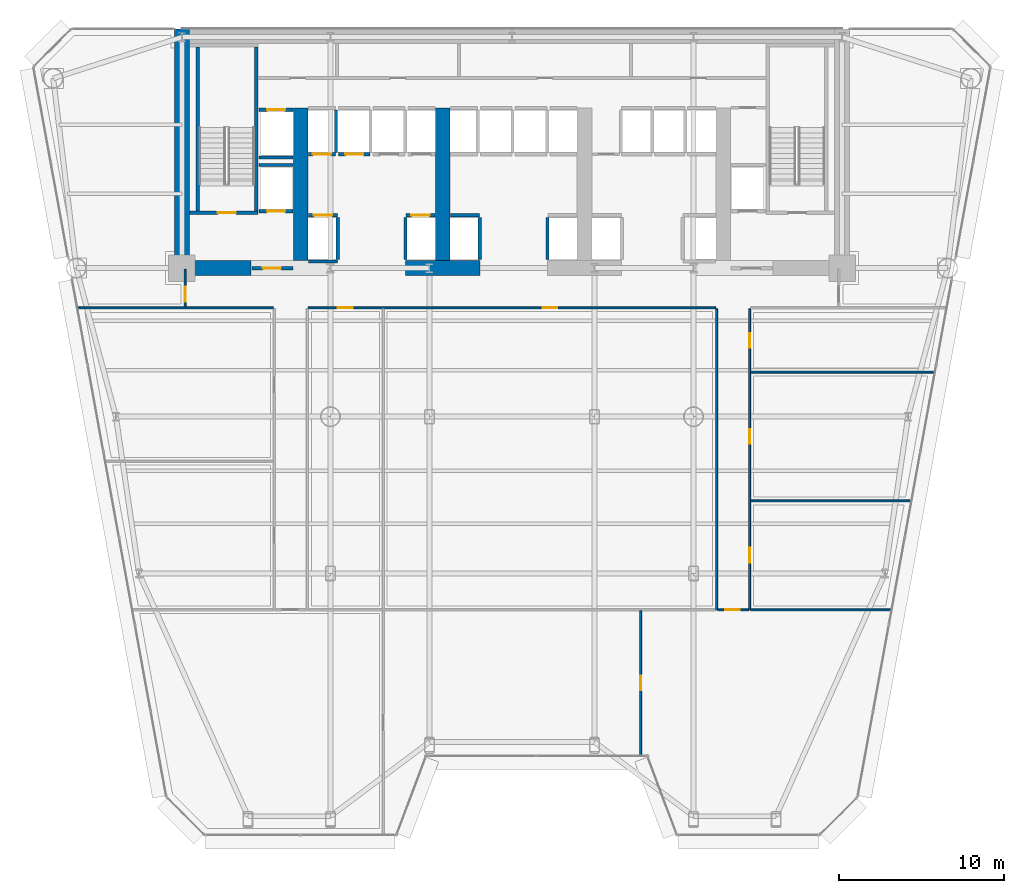
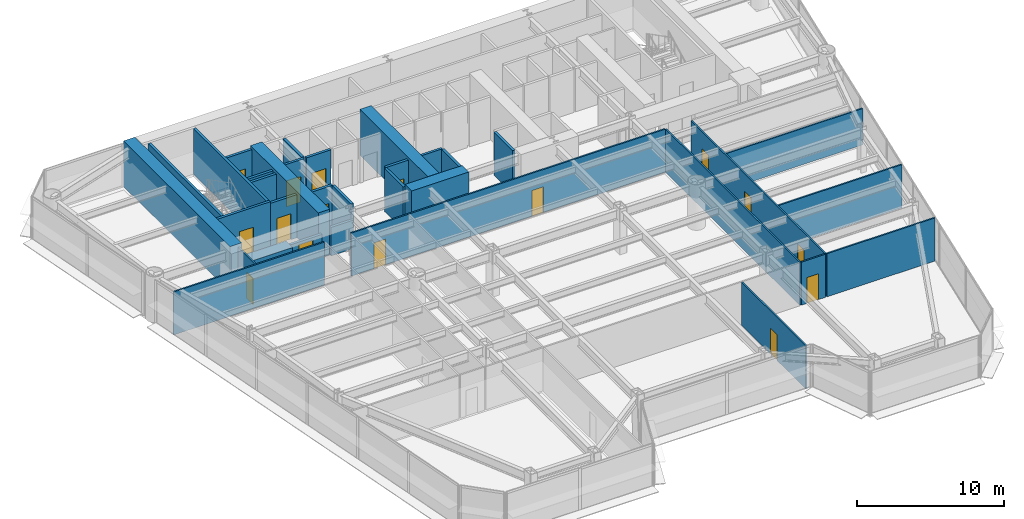
# One storey, part 8 of 14: 34 walls, 16 doors, 16 openings.
"""IFC4 building model written with IfcOpenShell, lengths in metres."""

from ifc_helpers import new_model, si_unit, direction, frame, frame_2d, origin, place, context, subcontext, project, spatial, rectangle, extrude, source, transform, mapped, material, layer, layer_set, type_object, element, fill, save


model = new_model("IFC4")

# Units and contexts
model_context = context("Model", 3, precision=1e-05, world=origin(), true_north=direction((0.0, 1.0)))
body_context = subcontext(model_context, "Body", "Model", "MODEL_VIEW")
ifc_project = project(units=[si_unit("LENGTHUNIT", "METRE"), si_unit("AREAUNIT", "SQUARE_METRE"), si_unit("VOLUMEUNIT", "CUBIC_METRE"), si_unit("PLANEANGLEUNIT", "RADIAN"), si_unit("MASSUNIT", "GRAM", prefix="KILO")], contexts=[model_context])

# Site, building, storey
site_placement = place(None, origin())
site = spatial("IfcSite", under=ifc_project, at=site_placement, CompositionType="ELEMENT")
building_placement = place(site_placement, origin())
building = spatial("IfcBuilding", under=site, at=building_placement, Name="Vaeldorn Concourse Tower", CompositionType="ELEMENT")
storey_placement = place(building_placement, frame((0.0, 0.0, 53.0)))
storey = spatial("IfcBuildingStorey", under=building, at=storey_placement, Name="L13", CompositionType="ELEMENT", Elevation=53.0)

# Walls
ifc_material_1 = material(Name="Concrete C60/75", Category="concrete")
ifc_layer_1 = layer(ifc_material_1, 0.89990234375)
ifc_layer_set_1 = layer_set([ifc_layer_1], Name="Concrete C60/75")
wall_type_1 = type_object("IfcWallType", Name="WL-CORE-900", PredefinedType="SHEAR", material=ifc_layer_set_1)
wall_1_placement = place(storey_placement, frame((14.0, 36.5, 0.0), z_axis=(0.0, 0.0, 1.0), x_axis=(0.0, 1.0, 0.0)))
element("IfcWall", 1, at=wall_1_placement, inside=storey, type_object=wall_type_1, Name="Rear Core Shear Wall L13 W1", PredefinedType="SHEAR", context=body_context, shape_type="SweptSolid", body=[
    extrude(rectangle(XDim=14.5, YDim=0.89990234375, at=frame_2d((7.25, 0.0))), origin(), (0.0, 0.0, 1.0), 3.800048828125),
])
wall_2_placement = place(storey_placement, frame((14.469970703125, 36.5, 0.0), z_axis=(0.0, 0.0, 1.0), x_axis=(1.0, 0.0, 0.0)))
element("IfcWall", 2, at=wall_2_placement, inside=storey, type_object=wall_type_1, Name="Rear Core Shear Wall L13 S1", PredefinedType="SHEAR", context=body_context, shape_type="SweptSolid", body=[
    extrude(rectangle(XDim=3.72998046875, YDim=0.89990234375, at=frame_2d((1.864990234375, 0.0))), origin(), (0.0, 0.0, 1.0), 2.3798828125),
])
wall_3_placement = place(storey_placement, frame((27.550048828125, 36.5, 0.0), z_axis=(0.0, 0.0, 1.0), x_axis=(1.0, 0.0, 0.0)))
element("IfcWall", 3, at=wall_3_placement, inside=storey, type_object=wall_type_1, Name="Rear Core Shear Wall L13 S2", PredefinedType="SHEAR", context=body_context, shape_type="SweptSolid", body=[
    extrude(rectangle(XDim=4.5, YDim=0.89990234375, at=frame_2d((2.25, 0.0))), origin(), (0.0, 0.0, 1.0), 3.800048828125),
])
for number, where, z_axis, x_axis, name in (
    (4, (21.199951171875, 36.969970703125, 0.0), (0.0, 0.0, 1.0), (0.0, 1.0, 0.0), "Rear Core Shear Wall L13 M1"),
    (5, (29.800048828125, 36.969970703125, 0.0), (0.0, 0.0, 1.0), (0.0, 1.0, 0.0), "Rear Core Shear Wall L13 M2"),
):
    element("IfcWall", number, at=place(storey_placement, frame(where, z_axis=z_axis, x_axis=x_axis)), inside=storey, type_object=wall_type_1, Name=name, PredefinedType="SHEAR", context=body_context, shape_type="SweptSolid", body=[
        extrude(rectangle(XDim=9.22998046875, YDim=0.89990234375, at=frame_2d((4.614990234375, 0.0))), origin(), (0.0, 0.0, 1.0), 3.800048828125),
    ])

# Wall, openings, doors
ifc_material_2 = material(Name="Gypsum Board Partition", Category="gypsum")
ifc_layer_2 = layer(ifc_material_2, 0.1201171875)
ifc_layer_set_2 = layer_set([ifc_layer_2], Name="Gypsum Board Partition")
wall_type_2 = type_object("IfcWallType", Name="WL-PART-120", PredefinedType="PARTITIONING", material=ifc_layer_set_2)
wall_4_placement = place(storey_placement, frame((21.659912109375, 34.10009765625, 0.0), z_axis=(0.0, 0.0, 1.0), x_axis=(1.0, 0.0, 0.0)))
wall_4 = element("IfcWall", 6, at=wall_4_placement, inside=storey, type_object=wall_type_2, Name="Interior Wall PW-L13-CEWS", PredefinedType="PARTITIONING", context=body_context, shape_type="SweptSolid", body=[
    extrude(rectangle(XDim=24.68017578125, YDim=0.1201171875, at=frame_2d((12.340087890625, 0.0))), origin(), (0.0, 0.0, 1.0), 3.580078125),
])
opening_1_placement = place(wall_4_placement, frame((1.7900390625, 0.0, 0.0)))
opening_1 = element("IfcOpeningElement", 7, at=opening_1_placement, cuts=wall_4, Name="Opening D-03", PredefinedType="OPENING", context=body_context, shape_type="SweptSolid", body=[
    extrude(rectangle(XDim=0.89990234375, YDim=2.14990234375, at=frame_2d((0.449951171875, 1.074951171875))), frame((0.0, 0.070068359375, 0.0), z_axis=(0.0, -1.0, 0.0), x_axis=(1.0, 0.0, 0.0)), (0.0, 0.0, 1.0), 0.14013671875),
])
opening_2_placement = place(wall_4_placement, frame((14.18994140625, 0.0, 0.0)))
opening_2 = element("IfcOpeningElement", 8, at=opening_2_placement, cuts=wall_4, Name="Opening D-03", PredefinedType="OPENING", context=body_context, shape_type="SweptSolid", body=[
    extrude(rectangle(XDim=0.89990234375, YDim=2.14990234375, at=frame_2d((0.449951171875, 1.074951171875))), frame((0.0, 0.070068359375, 0.0), z_axis=(0.0, -1.0, 0.0), x_axis=(1.0, 0.0, 0.0)), (0.0, 0.0, 1.0), 0.14013671875),
])
ifc_material_3 = material(Name="Acoustic Bronze-Framed Glass Door", Category="glass")
door_type_1 = type_object("IfcDoorType", Name="DR-INT-900", OperationType="NOTDEFINED", PredefinedType="DOOR", material=ifc_material_3)
shared_shape_1 = source(origin(), body_context, "Body", "SweptSolid", [
    extrude(rectangle(XDim=0.89990234375, YDim=2.14990234375, at=frame_2d((0.449951171875, 1.074951171875))), frame((0.0, 0.02490234375, 0.0), z_axis=(0.0, -1.0, 0.0), x_axis=(1.0, 0.0, 0.0)), (0.0, 0.0, 1.0), 0.050048828125),
])
door_1_placement = place(opening_1_placement, origin())
door_1 = element("IfcDoor", 9, at=door_1_placement, inside=storey, type_object=door_type_1, Name="Interior Door DR-L13-H1", OperationType="SINGLE_SWING_LEFT", OverallHeight=2.14990234375, OverallWidth=0.89990234375, PredefinedType="DOOR", context=body_context, shape_type="MappedRepresentation", body=[
    mapped(shared_shape_1, transform((0.0, 0.0, 0.0), scale=1.0)),
])
fill(opening_1, door_1)
door_2_placement = place(opening_2_placement, origin())
door_2 = element("IfcDoor", 10, at=door_2_placement, inside=storey, type_object=door_type_1, Name="Interior Door DR-L13-H2", OperationType="SINGLE_SWING_RIGHT", OverallHeight=2.14990234375, OverallWidth=0.89990234375, PredefinedType="DOOR", context=body_context, shape_type="MappedRepresentation", body=[
    mapped(shared_shape_1, transform((0.0, 0.0, 0.0), scale=1.0)),
])
fill(opening_2, door_2)

# Wall
wall_5_placement = place(storey_placement, frame((7.699462890625, 34.10009765625, 0.0), z_axis=(0.0, 0.0, 1.0), x_axis=(1.0, 0.0, 0.0)))
element("IfcWall", 11, at=wall_5_placement, inside=storey, type_object=wall_type_2, Name="Interior Wall PW-L13-CEWW", PredefinedType="PARTITIONING", context=body_context, shape_type="SweptSolid", body=[
    extrude(rectangle(XDim=11.840576171875, YDim=0.1201171875, at=frame_2d((5.92041015625, 0.0))), origin(), (0.0, 0.0, 1.0), 3.580078125),
])

# Wall, opening, door
wall_6_placement = place(storey_placement, frame((14.199951171875, 34.159912109375, 0.0), z_axis=(0.0, 0.0, 1.0), x_axis=(0.0, 1.0, 0.0)))
wall_6 = element("IfcWall", 12, at=wall_6_placement, inside=storey, type_object=wall_type_2, Name="Interior Wall PW-L13-CWWT", PredefinedType="PARTITIONING", context=body_context, shape_type="SweptSolid", body=[
    extrude(rectangle(XDim=2.280029296875, YDim=0.1201171875, at=frame_2d((1.14013671875, 0.0))), origin(), (0.0, 0.0, 1.0), 3.580078125),
])
opening_3_placement = place(wall_6_placement, frame((0.300048828125, 0.0, 0.0)))
opening_3 = element("IfcOpeningElement", 13, at=opening_3_placement, cuts=wall_6, Name="Opening D-03", PredefinedType="OPENING", context=body_context, shape_type="SweptSolid", body=[
    extrude(rectangle(XDim=0.89990234375, YDim=2.14990234375, at=frame_2d((0.449951171875, 1.074951171875))), frame((0.0, 0.070068359375, 0.0), z_axis=(0.0, -1.0, 0.0), x_axis=(1.0, 0.0, 0.0)), (0.0, 0.0, 1.0), 0.14013671875),
])
door_3_placement = place(opening_3_placement, origin())
door_3 = element("IfcDoor", 14, at=door_3_placement, inside=storey, type_object=door_type_1, Name="Interior Door DR-L13-NW1", OperationType="SINGLE_SWING_LEFT", OverallHeight=2.14990234375, OverallWidth=0.89990234375, PredefinedType="DOOR", context=body_context, shape_type="MappedRepresentation", body=[
    mapped(shared_shape_1, transform((0.0, 0.0, 0.0), scale=1.0)),
])
fill(opening_3, door_3)

# Wall
wall_7_placement = place(storey_placement, frame((46.39990234375, 15.800048828125, 0.0), z_axis=(0.0, 0.0, 1.0), x_axis=(0.0, 1.0, 0.0)))
element("IfcWall", 15, at=wall_7_placement, inside=storey, type_object=wall_type_2, Name="Interior Wall PW-L13-CEW", PredefinedType="PARTITIONING", context=body_context, shape_type="SweptSolid", body=[
    extrude(rectangle(XDim=18.239990234375, YDim=0.1201171875, at=frame_2d((9.1201171875, 0.0))), origin(), (0.0, 0.0, 1.0), 3.580078125),
])

# Wall, openings, doors
wall_8_placement = place(storey_placement, frame((48.39990234375, 15.800048828125, 0.0), z_axis=(0.0, 0.0, 1.0), x_axis=(0.0, 1.0, 0.0)))
wall_8 = element("IfcWall", 16, at=wall_8_placement, inside=storey, type_object=wall_type_2, Name="Interior Wall PW-L13-CEE", PredefinedType="PARTITIONING", context=body_context, shape_type="SweptSolid", body=[
    extrude(rectangle(XDim=18.239990234375, YDim=0.1201171875, at=frame_2d((9.1201171875, 0.0))), origin(), (0.0, 0.0, 1.0), 3.580078125),
])
opening_4_placement = place(wall_8_placement, frame((2.85009765625, 0.0, 0.0)))
opening_4 = element("IfcOpeningElement", 17, at=opening_4_placement, cuts=wall_8, Name="Opening D-03", PredefinedType="OPENING", context=body_context, shape_type="SweptSolid", body=[
    extrude(rectangle(XDim=0.89990234375, YDim=2.14990234375, at=frame_2d((0.449951171875, 1.074951171875))), frame((0.0, 0.070068359375, 0.0), z_axis=(0.0, -1.0, 0.0), x_axis=(1.0, 0.0, 0.0)), (0.0, 0.0, 1.0), 0.14013671875),
])
opening_5_placement = place(wall_8_placement, frame((10.050048828125, 0.0, 0.0)))
opening_5 = element("IfcOpeningElement", 18, at=opening_5_placement, cuts=wall_8, Name="Opening D-03", PredefinedType="OPENING", context=body_context, shape_type="SweptSolid", body=[
    extrude(rectangle(XDim=0.89990234375, YDim=2.14990234375, at=frame_2d((0.449951171875, 1.074951171875))), frame((0.0, 0.070068359375, 0.0), z_axis=(0.0, -1.0, 0.0), x_axis=(1.0, 0.0, 0.0)), (0.0, 0.0, 1.0), 0.14013671875),
])
opening_6_placement = place(wall_8_placement, frame((15.8701171875, 0.0, 0.0)))
opening_6 = element("IfcOpeningElement", 19, at=opening_6_placement, cuts=wall_8, Name="Opening D-03", PredefinedType="OPENING", context=body_context, shape_type="SweptSolid", body=[
    extrude(rectangle(XDim=0.89990234375, YDim=2.14990234375, at=frame_2d((0.449951171875, 1.074951171875))), frame((0.0, 0.070068359375, 0.0), z_axis=(0.0, -1.0, 0.0), x_axis=(1.0, 0.0, 0.0)), (0.0, 0.0, 1.0), 0.14013671875),
])
door_4_placement = place(opening_4_placement, origin())
door_4 = element("IfcDoor", 20, at=door_4_placement, inside=storey, type_object=door_type_1, Name="Interior Door DR-L13-E1", OperationType="SINGLE_SWING_RIGHT", OverallHeight=2.14990234375, OverallWidth=0.89990234375, PredefinedType="DOOR", context=body_context, shape_type="MappedRepresentation", body=[
    mapped(shared_shape_1, transform((0.0, 0.0, 0.0), scale=1.0)),
])
fill(opening_4, door_4)
door_5_placement = place(opening_5_placement, origin())
door_5 = element("IfcDoor", 21, at=door_5_placement, inside=storey, type_object=door_type_1, Name="Interior Door DR-L13-E2", OperationType="SINGLE_SWING_LEFT", OverallHeight=2.14990234375, OverallWidth=0.89990234375, PredefinedType="DOOR", context=body_context, shape_type="MappedRepresentation", body=[
    mapped(shared_shape_1, transform((0.0, 0.0, 0.0), scale=1.0)),
])
fill(opening_5, door_5)
door_6_placement = place(opening_6_placement, origin())
door_6 = element("IfcDoor", 22, at=door_6_placement, inside=storey, type_object=door_type_1, Name="Interior Door DR-L13-E3", OperationType="SINGLE_SWING_RIGHT", OverallHeight=2.14990234375, OverallWidth=0.89990234375, PredefinedType="DOOR", context=body_context, shape_type="MappedRepresentation", body=[
    mapped(shared_shape_1, transform((0.0, 0.0, 0.0), scale=1.0)),
])
fill(opening_6, door_6)

# Wall, opening, door
wall_9_placement = place(storey_placement, frame((46.4599609375, 15.800048828125, 0.0), z_axis=(0.0, 0.0, 1.0), x_axis=(1.0, 0.0, 0.0)))
wall_9 = element("IfcWall", 23, at=wall_9_placement, inside=storey, type_object=wall_type_2, Name="Interior Wall PW-L13-CES", PredefinedType="PARTITIONING", context=body_context, shape_type="SweptSolid", body=[
    extrude(rectangle(XDim=1.880126953125, YDim=0.1201171875, at=frame_2d((0.93994140625, 0.0))), origin(), (0.0, 0.0, 1.0), 3.580078125),
])
opening_7_placement = place(wall_9_placement, frame((0.449951171875, 0.0, 0.0)))
opening_7 = element("IfcOpeningElement", 24, at=opening_7_placement, cuts=wall_9, Name="Opening D-03", PredefinedType="OPENING", context=body_context, shape_type="SweptSolid", body=[
    extrude(rectangle(XDim=0.89990234375, YDim=2.14990234375, at=frame_2d((0.449951171875, 1.074951171875))), frame((0.0, 0.070068359375, 0.0), z_axis=(0.0, -1.0, 0.0), x_axis=(1.0, 0.0, 0.0)), (0.0, 0.0, 1.0), 0.14013671875),
])
door_7_placement = place(opening_7_placement, origin())
door_7 = element("IfcDoor", 25, at=door_7_placement, inside=storey, type_object=door_type_1, Name="Interior Door DR-L13-SEL", OperationType="SINGLE_SWING_RIGHT", OverallHeight=2.14990234375, OverallWidth=0.89990234375, PredefinedType="DOOR", context=body_context, shape_type="MappedRepresentation", body=[
    mapped(shared_shape_1, transform((0.0, 0.0, 0.0), scale=1.0)),
])
fill(opening_7, door_7)

# Walls
wall_10_placement = place(storey_placement, frame((48.4599609375, 15.800048828125, 0.0), z_axis=(0.0, 0.0, 1.0), x_axis=(1.0, 0.0, 0.0)))
element("IfcWall", 26, at=wall_10_placement, inside=storey, type_object=wall_type_2, Name="Interior Wall PW-L13-EY0", PredefinedType="PARTITIONING", context=body_context, shape_type="SweptSolid", body=[
    extrude(rectangle(XDim=8.507080078125, YDim=0.1201171875, at=frame_2d((4.25341796875, 0.0))), origin(), (0.0, 0.0, 1.0), 3.580078125),
])
wall_11_placement = place(storey_placement, frame((48.4599609375, 22.39990234375, 0.0), z_axis=(0.0, 0.0, 1.0), x_axis=(1.0, 0.0, 0.0)))
element("IfcWall", 27, at=wall_11_placement, inside=storey, type_object=wall_type_2, Name="Interior Wall PW-L13-EY1", PredefinedType="PARTITIONING", context=body_context, shape_type="SweptSolid", body=[
    extrude(rectangle(XDim=9.70947265625, YDim=0.1201171875, at=frame_2d((4.854736328125, 0.0))), origin(), (0.0, 0.0, 1.0), 3.580078125),
])
wall_12_placement = place(storey_placement, frame((48.4599609375, 30.199951171875, 0.0), z_axis=(0.0, 0.0, 1.0), x_axis=(1.0, 0.0, 0.0)))
element("IfcWall", 28, at=wall_12_placement, inside=storey, type_object=wall_type_2, Name="Interior Wall PW-L13-EY2", PredefinedType="PARTITIONING", context=body_context, shape_type="SweptSolid", body=[
    extrude(rectangle(XDim=11.130126953125, YDim=0.1201171875, at=frame_2d((5.56494140625, 0.0))), origin(), (0.0, 0.0, 1.0), 3.02001953125),
])

# Wall, opening, door
wall_13_placement = place(storey_placement, frame((41.800048828125, 6.99169921875, 0.0), z_axis=(0.0, 0.0, 1.0), x_axis=(0.0, 1.0, 0.0)))
wall_13 = element("IfcWall", 29, at=wall_13_placement, inside=storey, type_object=wall_type_2, Name="Interior Wall PW-L13-SMID2", PredefinedType="PARTITIONING", context=body_context, shape_type="SweptSolid", body=[
    extrude(rectangle(XDim=8.748291015625, YDim=0.1201171875, at=frame_2d((4.3740234375, 0.0))), origin(), (0.0, 0.0, 1.0), 3.580078125),
])
opening_8_placement = place(wall_13_placement, frame((3.924072265625, 0.0, 0.0)))
opening_8 = element("IfcOpeningElement", 30, at=opening_8_placement, cuts=wall_13, Name="Opening D-03", PredefinedType="OPENING", context=body_context, shape_type="SweptSolid", body=[
    extrude(rectangle(XDim=0.89990234375, YDim=2.14990234375, at=frame_2d((0.449951171875, 1.074951171875))), frame((0.0, 0.070068359375, 0.0), z_axis=(0.0, -1.0, 0.0), x_axis=(1.0, 0.0, 0.0)), (0.0, 0.0, 1.0), 0.14013671875),
])
door_8_placement = place(opening_8_placement, origin())
door_8 = element("IfcDoor", 31, at=door_8_placement, inside=storey, type_object=door_type_1, Name="Interior Door DR-L13-SMID2", OperationType="SINGLE_SWING_LEFT", OverallHeight=2.14990234375, OverallWidth=0.89990234375, PredefinedType="DOOR", context=body_context, shape_type="MappedRepresentation", body=[
    mapped(shared_shape_1, transform((0.0, 0.0, 0.0), scale=1.0)),
])
fill(opening_8, door_8)

ifc_material_4 = material(Name="Concrete C50/60", Category="concrete")
ifc_layer_3 = layer(ifc_material_4, 0.199951171875)
ifc_layer_set_3 = layer_set([ifc_layer_3], Name="Concrete C50/60")
wall_type_3 = type_object("IfcWallType", Name="WL-SHAFT-200", PredefinedType="SOLIDWALL", material=ifc_layer_set_3)
wall_14_placement = place(storey_placement, frame((14.449951171875, 39.85009765625, 0.0), z_axis=(0.0, 0.0, 1.0), x_axis=(1.0, 0.0, 0.0)))
wall_14 = element("IfcWall", 32, at=wall_14_placement, inside=storey, type_object=wall_type_3, Name="Stair Shaft Wall CW-L13-ST-1-S", PredefinedType="SOLIDWALL", context=body_context, shape_type="SweptSolid", body=[
    extrude(rectangle(XDim=4.150146484375, YDim=0.199951171875, at=frame_2d((2.0751953125, 0.0))), origin(), (0.0, 0.0, 1.0), 3.800048828125),
])
opening_9_placement = place(wall_14_placement, frame((1.72509765625, 0.0, 0.0)))
opening_9 = element("IfcOpeningElement", 33, at=opening_9_placement, cuts=wall_14, Name="Opening D-01", PredefinedType="OPENING", context=body_context, shape_type="SweptSolid", body=[
    extrude(rectangle(XDim=1.10009765625, YDim=2.14990234375, at=frame_2d((0.550048828125, 1.074951171875))), frame((0.0, 0.10986328125, 0.0), z_axis=(0.0, -1.0, 0.0), x_axis=(1.0, 0.0, 0.0)), (0.0, 0.0, 1.0), 0.219970703125),
])
ifc_material_5 = material(Name="Fire-Rated Timber and Steel Leaf", Category="steel")
door_type_2 = type_object("IfcDoorType", Name="DR-FD60-1100", OperationType="NOTDEFINED", PredefinedType="DOOR", material=ifc_material_5)
shared_shape_2 = source(origin(), body_context, "Body", "SweptSolid", [
    extrude(rectangle(XDim=1.10009765625, YDim=2.14990234375, at=frame_2d((0.550048828125, 1.074951171875))), frame((0.0, 0.02490234375, 0.0), z_axis=(0.0, -1.0, 0.0), x_axis=(1.0, 0.0, 0.0)), (0.0, 0.0, 1.0), 0.050048828125),
])
door_9_placement = place(opening_9_placement, origin())
door_9 = element("IfcDoor", 34, at=door_9_placement, inside=storey, type_object=door_type_2, Name="Interior Door DR-L13-ST-1", OperationType="SINGLE_SWING_LEFT", OverallHeight=2.14990234375, OverallWidth=1.10009765625, PredefinedType="DOOR", context=body_context, shape_type="MappedRepresentation", body=[
    mapped(shared_shape_2, transform((0.0, 0.0, 0.0), scale=1.0)),
])
fill(opening_9, door_9)

# Walls
for number, where, z_axis, x_axis, name in (
    (35, (14.949951171875, 39.9599609375, 0.0), (0.0, 0.0, 1.0), (0.0, 1.0, 0.0), "Stair Shaft Wall CW-L13-ST-1-W"),
    (36, (18.5, 39.9599609375, 0.0), (0.0, 0.0, 1.0), (0.0, 1.0, 0.0), "Stair Shaft Wall CW-L13-ST-1-E"),
):
    element("IfcWall", number, at=place(storey_placement, frame(where, z_axis=z_axis, x_axis=x_axis)), inside=storey, type_object=wall_type_3, Name=name, PredefinedType="SOLIDWALL", context=body_context, shape_type="SweptSolid", body=[
        extrude(rectangle(XDim=9.929931640625, YDim=0.199951171875, at=frame_2d((4.96484375, 0.0))), origin(), (0.0, 0.0, 1.0), 3.800048828125),
    ])

# Wall, opening, door
wall_15_placement = place(storey_placement, frame((18.25, 36.5, 0.0), z_axis=(0.0, 0.0, 1.0), x_axis=(1.0, 0.0, 0.0)))
wall_15 = element("IfcWall", 37, at=wall_15_placement, inside=storey, type_object=wall_type_3, Name="Interior Wall CW-L13-FF1S", PredefinedType="SOLIDWALL", context=body_context, shape_type="SweptSolid", body=[
    extrude(rectangle(XDim=2.469970703125, YDim=0.199951171875, at=frame_2d((1.23486328125, 0.0))), origin(), (0.0, 0.0, 1.0), 2.3701171875),
])
opening_10_placement = place(wall_15_placement, frame((0.64990234375, 0.0, 0.0)))
opening_10 = element("IfcOpeningElement", 38, at=opening_10_placement, cuts=wall_15, Name="Opening D-01", PredefinedType="OPENING", context=body_context, shape_type="SweptSolid", body=[
    extrude(rectangle(XDim=1.10009765625, YDim=2.14990234375, at=frame_2d((0.550048828125, 1.074951171875))), frame((0.0, 0.10986328125, 0.0), z_axis=(0.0, -1.0, 0.0), x_axis=(1.0, 0.0, 0.0)), (0.0, 0.0, 1.0), 0.219970703125),
])
door_10_placement = place(opening_10_placement, origin())
door_10 = element("IfcDoor", 39, at=door_10_placement, inside=storey, type_object=door_type_2, Name="Interior Door DR-L13-FF1E", OperationType="SINGLE_SWING_RIGHT", OverallHeight=2.14990234375, OverallWidth=1.10009765625, PredefinedType="DOOR", context=body_context, shape_type="MappedRepresentation", body=[
    mapped(shared_shape_2, transform((0.0, 0.0, 0.0), scale=1.0)),
])
fill(opening_10, door_10)

wall_16_placement = place(storey_placement, frame((21.659912109375, 39.699951171875, 0.0), z_axis=(0.0, 0.0, 1.0), x_axis=(1.0, 0.0, 0.0)))
wall_16 = element("IfcWall", 40, at=wall_16_placement, inside=storey, type_object=wall_type_3, Name="Interior Wall CW-L13-LF-LF-01", PredefinedType="SOLIDWALL", context=body_context, shape_type="SweptSolid", body=[
    extrude(rectangle(XDim=1.77001953125, YDim=0.199951171875, at=frame_2d((0.885009765625, 0.0))), origin(), (0.0, 0.0, 1.0), 3.580078125),
])
opening_11_placement = place(wall_16_placement, frame((0.3349609375, 0.0, 0.0)))
opening_11 = element("IfcOpeningElement", 41, at=opening_11_placement, cuts=wall_16, Name="Opening LD-1", PredefinedType="OPENING", context=body_context, shape_type="SweptSolid", body=[
    extrude(rectangle(XDim=1.10009765625, YDim=2.14990234375, at=frame_2d((0.550048828125, 1.074951171875))), frame((0.0, 0.10986328125, 0.0), z_axis=(0.0, -1.0, 0.0), x_axis=(1.0, 0.0, 0.0)), (0.0, 0.0, 1.0), 0.219970703125),
])
ifc_material_6 = material(Name="Anodised Bronze Aluminium", Category="aluminium")
door_type_3 = type_object("IfcDoorType", Name="DR-LIFT-SLIDE-1100", OperationType="DOUBLE_DOOR_SLIDING", PredefinedType="DOOR", material=ifc_material_6)
door_11_placement = place(opening_11_placement, origin())
door_11 = element("IfcDoor", 42, at=door_11_placement, inside=storey, type_object=door_type_3, Name="Lift Landing Door LD-L13-LF-01", OperationType="DOUBLE_DOOR_SLIDING", OverallHeight=2.14990234375, OverallWidth=1.10009765625, PredefinedType="DOOR", context=body_context, shape_type="MappedRepresentation", body=[
    mapped(shared_shape_2, transform((0.0, 0.0, 0.0), scale=1.0)),
])
fill(opening_11, door_11)

# Walls
wall_17_placement = place(storey_placement, frame((21.659912109375, 36.89990234375, 0.0), z_axis=(0.0, 0.0, 1.0), x_axis=(1.0, 0.0, 0.0)))
element("IfcWall", 43, at=wall_17_placement, inside=storey, type_object=wall_type_3, Name="Interior Wall CW-L13-LFB-LF-01", PredefinedType="SOLIDWALL", context=body_context, shape_type="SweptSolid", body=[
    extrude(rectangle(XDim=1.77001953125, YDim=0.199951171875, at=frame_2d((0.885009765625, 0.0))), origin(), (0.0, 0.0, 1.0), 2.3701171875),
])
wall_18_placement = place(storey_placement, frame((23.449951171875, 37.02001953125, 0.0), z_axis=(0.0, 0.0, 1.0), x_axis=(0.0, 1.0, 0.0)))
element("IfcWall", 44, at=wall_18_placement, inside=storey, type_object=wall_type_3, Name="Interior Wall CW-L13-LFE-LF-01", PredefinedType="SOLIDWALL", context=body_context, shape_type="SweptSolid", body=[
    extrude(rectangle(XDim=2.56005859375, YDim=0.199951171875, at=frame_2d((1.280029296875, 0.0))), origin(), (0.0, 0.0, 1.0), 3.580078125),
])

# Wall, opening, door
wall_19_placement = place(storey_placement, frame((27.570068359375, 39.699951171875, 0.0), z_axis=(0.0, 0.0, 1.0), x_axis=(1.0, 0.0, 0.0)))
wall_19 = element("IfcWall", 45, at=wall_19_placement, inside=storey, type_object=wall_type_3, Name="Interior Wall CW-L13-LF-LF-02", PredefinedType="SOLIDWALL", context=body_context, shape_type="SweptSolid", body=[
    extrude(rectangle(XDim=1.77001953125, YDim=0.199951171875, at=frame_2d((0.885009765625, 0.0))), origin(), (0.0, 0.0, 1.0), 3.580078125),
])
opening_12_placement = place(wall_19_placement, frame((0.3349609375, 0.0, 0.0)))
opening_12 = element("IfcOpeningElement", 46, at=opening_12_placement, cuts=wall_19, Name="Opening LD-1", PredefinedType="OPENING", context=body_context, shape_type="SweptSolid", body=[
    extrude(rectangle(XDim=1.10009765625, YDim=2.14990234375, at=frame_2d((0.550048828125, 1.074951171875))), frame((0.0, 0.10986328125, 0.0), z_axis=(0.0, -1.0, 0.0), x_axis=(1.0, 0.0, 0.0)), (0.0, 0.0, 1.0), 0.219970703125),
])
door_12_placement = place(opening_12_placement, origin())
door_12 = element("IfcDoor", 47, at=door_12_placement, inside=storey, type_object=door_type_3, Name="Lift Landing Door LD-L13-LF-02", OperationType="DOUBLE_DOOR_SLIDING", OverallHeight=2.14990234375, OverallWidth=1.10009765625, PredefinedType="DOOR", context=body_context, shape_type="MappedRepresentation", body=[
    mapped(shared_shape_2, transform((0.0, 0.0, 0.0), scale=1.0)),
])
fill(opening_12, door_12)

# Wall
wall_20_placement = place(storey_placement, frame((27.550048828125, 37.02001953125, 0.0), z_axis=(0.0, 0.0, 1.0), x_axis=(0.0, 1.0, 0.0)))
element("IfcWall", 48, at=wall_20_placement, inside=storey, type_object=wall_type_3, Name="Interior Wall CW-L13-LFW-LF-02", PredefinedType="SOLIDWALL", context=body_context, shape_type="SweptSolid", body=[
    extrude(rectangle(XDim=2.56005859375, YDim=0.199951171875, at=frame_2d((1.280029296875, 0.0))), origin(), (0.0, 0.0, 1.0), 3.580078125),
])

# Wall, opening, door
wall_21_placement = place(storey_placement, frame((21.659912109375, 43.39990234375, 0.0), z_axis=(0.0, 0.0, 1.0), x_axis=(1.0, 0.0, 0.0)))
wall_21 = element("IfcWall", 49, at=wall_21_placement, inside=storey, type_object=wall_type_3, Name="Interior Wall CW-L13-LF-LF-03", PredefinedType="SOLIDWALL", context=body_context, shape_type="SweptSolid", body=[
    extrude(rectangle(XDim=1.650146484375, YDim=0.199951171875, at=frame_2d((0.8251953125, 0.0))), origin(), (0.0, 0.0, 1.0), 3.580078125),
])
opening_13_placement = place(wall_21_placement, frame((0.27490234375, 0.0, 0.0)))
opening_13 = element("IfcOpeningElement", 50, at=opening_13_placement, cuts=wall_21, Name="Opening LD-1", PredefinedType="OPENING", context=body_context, shape_type="SweptSolid", body=[
    extrude(rectangle(XDim=1.10009765625, YDim=2.14990234375, at=frame_2d((0.550048828125, 1.074951171875))), frame((0.0, 0.10986328125, 0.0), z_axis=(0.0, -1.0, 0.0), x_axis=(1.0, 0.0, 0.0)), (0.0, 0.0, 1.0), 0.219970703125),
])
door_13_placement = place(opening_13_placement, origin())
door_13 = element("IfcDoor", 51, at=door_13_placement, inside=storey, type_object=door_type_3, Name="Lift Landing Door LD-L13-LF-03", OperationType="DOUBLE_DOOR_SLIDING", OverallHeight=2.14990234375, OverallWidth=1.10009765625, PredefinedType="DOOR", context=body_context, shape_type="MappedRepresentation", body=[
    mapped(shared_shape_2, transform((0.0, 0.0, 0.0), scale=1.0)),
])
fill(opening_13, door_13)

# Wall
wall_22_placement = place(storey_placement, frame((23.330078125, 43.52001953125, 0.0), z_axis=(0.0, 0.0, 1.0), x_axis=(0.0, 1.0, 0.0)))
element("IfcWall", 52, at=wall_22_placement, inside=storey, type_object=wall_type_3, Name="Interior Wall CW-L13-LFE-LF-03", PredefinedType="SOLIDWALL", context=body_context, shape_type="SweptSolid", body=[
    extrude(rectangle(XDim=2.56005859375, YDim=0.199951171875, at=frame_2d((1.280029296875, 0.0))), origin(), (0.0, 0.0, 1.0), 3.580078125),
])

# Wall, opening, door
wall_23_placement = place(storey_placement, frame((23.489990234375, 43.39990234375, 0.0), z_axis=(0.0, 0.0, 1.0), x_axis=(1.0, 0.0, 0.0)))
wall_23 = element("IfcWall", 53, at=wall_23_placement, inside=storey, type_object=wall_type_3, Name="Interior Wall CW-L13-LF-LF-04", PredefinedType="SOLIDWALL", context=body_context, shape_type="SweptSolid", body=[
    extrude(rectangle(XDim=1.919921875, YDim=0.199951171875, at=frame_2d((0.9599609375, 0.0))), origin(), (0.0, 0.0, 1.0), 3.580078125),
])
opening_14_placement = place(wall_23_placement, frame((0.409912109375, 0.0, 0.0)))
opening_14 = element("IfcOpeningElement", 54, at=opening_14_placement, cuts=wall_23, Name="Opening LD-1", PredefinedType="OPENING", context=body_context, shape_type="SweptSolid", body=[
    extrude(rectangle(XDim=1.10009765625, YDim=2.14990234375, at=frame_2d((0.550048828125, 1.074951171875))), frame((0.0, 0.10986328125, 0.0), z_axis=(0.0, -1.0, 0.0), x_axis=(1.0, 0.0, 0.0)), (0.0, 0.0, 1.0), 0.219970703125),
])
door_14_placement = place(opening_14_placement, origin())
door_14 = element("IfcDoor", 55, at=door_14_placement, inside=storey, type_object=door_type_3, Name="Lift Landing Door LD-L13-LF-04", OperationType="DOUBLE_DOOR_SLIDING", OverallHeight=2.14990234375, OverallWidth=1.10009765625, PredefinedType="DOOR", context=body_context, shape_type="MappedRepresentation", body=[
    mapped(shared_shape_2, transform((0.0, 0.0, 0.0), scale=1.0)),
])
fill(opening_14, door_14)

# Walls
wall_24_placement = place(storey_placement, frame((30.260009765625, 39.699951171875, 0.0), z_axis=(0.0, 0.0, 1.0), x_axis=(1.0, 0.0, 0.0)))
element("IfcWall", 56, at=wall_24_placement, inside=storey, type_object=wall_type_3, Name="Interior Wall CW-L13-LF-LF-07", PredefinedType="SOLIDWALL", context=body_context, shape_type="SweptSolid", body=[
    extrude(rectangle(XDim=1.77001953125, YDim=0.199951171875, at=frame_2d((0.885009765625, 0.0))), origin(), (0.0, 0.0, 1.0), 3.580078125),
])
for number, where, z_axis, x_axis, name in (
    (57, (32.050048828125, 37.02001953125, 0.0), (0.0, 0.0, 1.0), (0.0, 1.0, 0.0), "Interior Wall CW-L13-LFE-LF-07"),
    (58, (36.14990234375, 37.02001953125, 0.0), (0.0, 0.0, 1.0), (0.0, 1.0, 0.0), "Interior Wall CW-L13-LFW-LF-08"),
):
    element("IfcWall", number, at=place(storey_placement, frame(where, z_axis=z_axis, x_axis=x_axis)), inside=storey, type_object=wall_type_3, Name=name, PredefinedType="SOLIDWALL", context=body_context, shape_type="SweptSolid", body=[
        extrude(rectangle(XDim=2.56005859375, YDim=0.199951171875, at=frame_2d((1.280029296875, 0.0))), origin(), (0.0, 0.0, 1.0), 3.580078125),
    ])

# Wall, opening, door
wall_25_placement = place(storey_placement, frame((18.669921875, 46.10009765625, 0.0), z_axis=(0.0, 0.0, 1.0), x_axis=(1.0, 0.0, 0.0)))
wall_25 = element("IfcWall", 59, at=wall_25_placement, inside=storey, type_object=wall_type_3, Name="Interior Wall CW-L13-LF-LF-SV1", PredefinedType="SOLIDWALL", context=body_context, shape_type="SweptSolid", body=[
    extrude(rectangle(XDim=2.070068359375, YDim=0.199951171875, at=frame_2d((1.03515625, 0.0))), origin(), (0.0, 0.0, 1.0), 3.580078125),
])
opening_15_placement = place(wall_25_placement, frame((0.485107421875, 0.0, 0.0)))
opening_15 = element("IfcOpeningElement", 60, at=opening_15_placement, cuts=wall_25, Name="Opening LD-1", PredefinedType="OPENING", context=body_context, shape_type="SweptSolid", body=[
    extrude(rectangle(XDim=1.10009765625, YDim=2.14990234375, at=frame_2d((0.550048828125, 1.074951171875))), frame((0.0, 0.10986328125, 0.0), z_axis=(0.0, -1.0, 0.0), x_axis=(1.0, 0.0, 0.0)), (0.0, 0.0, 1.0), 0.219970703125),
])
door_15_placement = place(opening_15_placement, origin())
door_15 = element("IfcDoor", 61, at=door_15_placement, inside=storey, type_object=door_type_3, Name="Lift Landing Door LD-L13-LF-SV1", OperationType="DOUBLE_DOOR_SLIDING", OverallHeight=2.14990234375, OverallWidth=1.10009765625, PredefinedType="DOOR", context=body_context, shape_type="MappedRepresentation", body=[
    mapped(shared_shape_2, transform((0.0, 0.0, 0.0), scale=1.0)),
])
fill(opening_15, door_15)

# Wall
wall_26_placement = place(storey_placement, frame((18.669921875, 43.199951171875, 0.0), z_axis=(0.0, 0.0, 1.0), x_axis=(1.0, 0.0, 0.0)))
element("IfcWall", 62, at=wall_26_placement, inside=storey, type_object=wall_type_3, Name="Interior Wall CW-L13-LFB-LF-SV1", PredefinedType="SOLIDWALL", context=body_context, shape_type="SweptSolid", body=[
    extrude(rectangle(XDim=2.070068359375, YDim=0.199951171875, at=frame_2d((1.03515625, 0.0))), origin(), (0.0, 0.0, 1.0), 3.580078125),
])

# Wall, opening, door
wall_27_placement = place(storey_placement, frame((18.669921875, 39.949951171875, 0.0), z_axis=(0.0, 0.0, 1.0), x_axis=(1.0, 0.0, 0.0)))
wall_27 = element("IfcWall", 63, at=wall_27_placement, inside=storey, type_object=wall_type_3, Name="Interior Wall CW-L13-LF-LF-FF1", PredefinedType="SOLIDWALL", context=body_context, shape_type="SweptSolid", body=[
    extrude(rectangle(XDim=2.070068359375, YDim=0.199951171875, at=frame_2d((1.03515625, 0.0))), origin(), (0.0, 0.0, 1.0), 3.580078125),
])
opening_16_placement = place(wall_27_placement, frame((0.485107421875, 0.0, 0.0)))
opening_16 = element("IfcOpeningElement", 64, at=opening_16_placement, cuts=wall_27, Name="Opening LD-1", PredefinedType="OPENING", context=body_context, shape_type="SweptSolid", body=[
    extrude(rectangle(XDim=1.10009765625, YDim=2.14990234375, at=frame_2d((0.550048828125, 1.074951171875))), frame((0.0, 0.10986328125, 0.0), z_axis=(0.0, -1.0, 0.0), x_axis=(1.0, 0.0, 0.0)), (0.0, 0.0, 1.0), 0.219970703125),
])
door_16_placement = place(opening_16_placement, origin())
door_16 = element("IfcDoor", 65, at=door_16_placement, inside=storey, type_object=door_type_3, Name="Lift Landing Door LD-L13-LF-FF1", OperationType="DOUBLE_DOOR_SLIDING", OverallHeight=2.14990234375, OverallWidth=1.10009765625, PredefinedType="DOOR", context=body_context, shape_type="MappedRepresentation", body=[
    mapped(shared_shape_2, transform((0.0, 0.0, 0.0), scale=1.0)),
])
fill(opening_16, door_16)

# Wall
wall_28_placement = place(storey_placement, frame((18.669921875, 42.75, 0.0), z_axis=(0.0, 0.0, 1.0), x_axis=(1.0, 0.0, 0.0)))
element("IfcWall", 66, at=wall_28_placement, inside=storey, type_object=wall_type_3, Name="Interior Wall CW-L13-LFB-LF-FF1", PredefinedType="SOLIDWALL", context=body_context, shape_type="SweptSolid", body=[
    extrude(rectangle(XDim=2.070068359375, YDim=0.199951171875, at=frame_2d((1.03515625, 0.0))), origin(), (0.0, 0.0, 1.0), 3.580078125),
])

save(model, "model.ifc")
